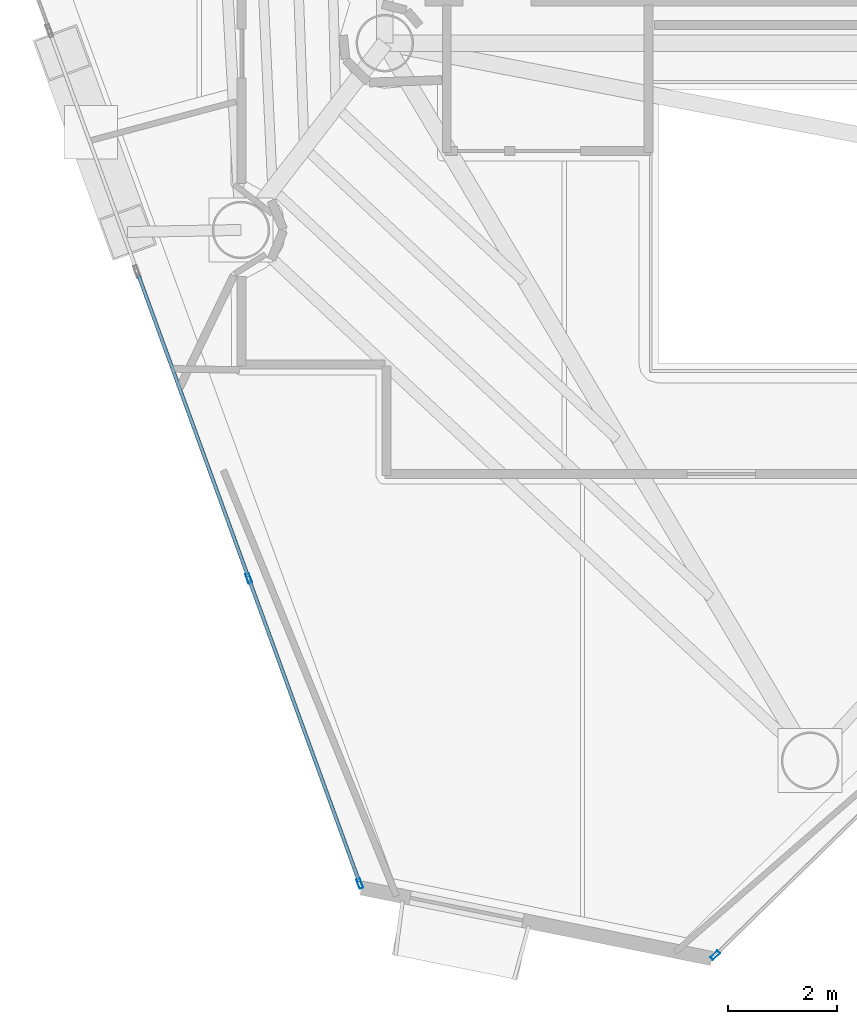
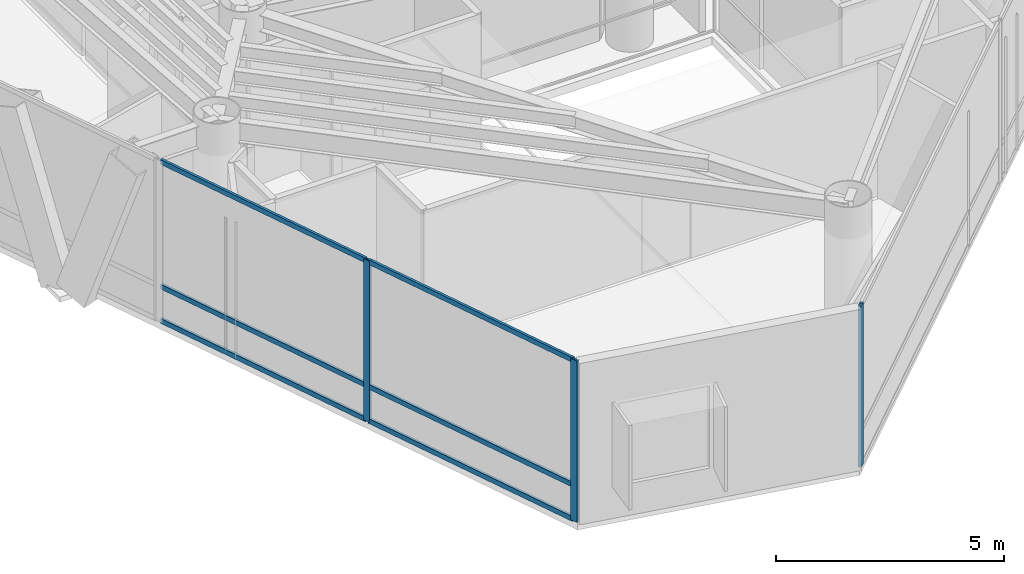
# One storey, part 2 of 21: 9 members, 2 elements without a shape of their own.
"""IFC4 building model written with IfcOpenShell, lengths in metres."""

from ifc_helpers import new_model, si_unit, direction, frame, origin, origin_2d, place, context, subcontext, project, spatial, hollow_rectangle, extrude, material, layer, layer_set, material_profile, profile_set, type_object, element, aggregate, save


model = new_model("IFC4")

# Units and contexts
model_context = context("Model", 3, precision=1e-05, world=origin(), true_north=direction((0.0, 1.0)))
body_context = subcontext(model_context, "Body", "Model", "MODEL_VIEW")
ifc_project = project(units=[si_unit("LENGTHUNIT", "METRE"), si_unit("AREAUNIT", "SQUARE_METRE"), si_unit("VOLUMEUNIT", "CUBIC_METRE"), si_unit("PLANEANGLEUNIT", "RADIAN"), si_unit("MASSUNIT", "GRAM", prefix="KILO")], contexts=[model_context])

# Site, building, storey
site_placement = place(None, origin())
site = spatial("IfcSite", under=ifc_project, at=site_placement, CompositionType="ELEMENT")
building_placement = place(site_placement, origin())
building = spatial("IfcBuilding", under=site, at=building_placement, Name="Qianvela Tower", CompositionType="ELEMENT")
storey_placement = place(building_placement, frame((0.0, 0.0, 234.5)))
storey = spatial("IfcBuildingStorey", under=building, at=storey_placement, Name="L60", CompositionType="ELEMENT", Elevation=234.5)

# Curtain wall, members
ifc_material_1 = material(Name="Anodised Architectural Aluminium and Low-E Glass", Category="aluminium")
ifc_layer = layer(ifc_material_1, 0.18994140625)
ifc_layer_set = layer_set([ifc_layer], Name="Anodised Architectural Aluminium and Low-E Glass")
curtain_wall_type = type_object("IfcCurtainWallType", Name="CW-SKYLOBBY", PredefinedType="USERDEFINED", material=ifc_layer_set)
curtain_wall_1_placement = place(storey_placement, origin())
curtain_wall_1 = element("IfcCurtainWall", 1, at=curtain_wall_1_placement, inside=storey, type_object=curtain_wall_type, Name="L60 CW-SKYLOBBY Curtain Wall 04C", ObjectType="CURTAIN_WALL_SYSTEM", PredefinedType="USERDEFINED")
ifc_material_2 = material(Name="Anodised Architectural Aluminium 6063-T6", Category="aluminium")
ifc_material_profile_1 = material_profile(ifc_material_2, hollow_rectangle(XDim=0.070068359375, YDim=0.179931640625, WallThickness=0.0048828125, at=origin_2d()), Name="ALU-MULL-70x180")
ifc_profile_set_1 = profile_set([ifc_material_profile_1], Name="Anodised Architectural Aluminium 6063-T6")
member_type_1 = type_object("IfcMemberType", Name="CW-SKYLOBBY-MULL", PredefinedType="MULLION", material=ifc_profile_set_1)
member_1_placement = place(storey_placement, frame((26.114990234375, 14.07177734375, 0.0), z_axis=(0.0, 0.0, 1.0), x_axis=(0.939691870439, 0.34202220488, 0.0)))
member_1 = element("IfcMember", 2, at=member_1_placement, type_object=member_type_1, Name="CW-7 mullion 2", PredefinedType="MULLION", context=body_context, shape_type="SweptSolid", body=[
    extrude(hollow_rectangle(XDim=0.070068359375, YDim=0.179931640625, WallThickness=0.0048828125, at=origin_2d()), origin(), (0.0, 0.0, 1.0), 4.320068359375),
])
member_2_placement = place(storey_placement, frame((28.144287109375, 8.496337890625, 0.0), z_axis=(0.0, 0.0, 1.0), x_axis=(0.939691870439, 0.34202220488, 0.0)))
member_2 = element("IfcMember", 3, at=member_2_placement, type_object=member_type_1, Name="CW-7 mullion 3", PredefinedType="MULLION", context=body_context, shape_type="SweptSolid", body=[
    extrude(hollow_rectangle(XDim=0.070068359375, YDim=0.179931640625, WallThickness=0.0048828125, at=origin_2d()), origin(), (0.0, 0.0, 1.0), 4.320068359375),
])

# Curtain wall, member
curtain_wall_2_placement = place(storey_placement, origin())
curtain_wall_2 = element("IfcCurtainWall", 4, at=curtain_wall_2_placement, inside=storey, type_object=curtain_wall_type, Name="L60 CW-SKYLOBBY Curtain Wall 06A", ObjectType="CURTAIN_WALL_SYSTEM", PredefinedType="USERDEFINED")
member_3_placement = place(storey_placement, frame((34.634521484375, 7.18701171875, 0.0), z_axis=(0.0, 0.0, 1.0), x_axis=(-0.69907402028, 0.715049308908, 0.0)))
member_3 = element("IfcMember", 5, at=member_3_placement, type_object=member_type_1, Name="CW-7 mullion 1", PredefinedType="MULLION", context=body_context, shape_type="SweptSolid", body=[
    extrude(hollow_rectangle(XDim=0.070068359375, YDim=0.179931640625, WallThickness=0.0048828125, at=origin_2d()), origin(), (0.0, 0.0, 1.0), 4.320068359375),
])
aggregate(curtain_wall_2, [member_3])

# Member
ifc_material_3 = material(Name="Anodised Architectural Aluminium 6063-T6", Category="aluminium")
ifc_material_profile_2 = material_profile(ifc_material_3, hollow_rectangle(XDim=0.06494140625, YDim=0.1298828125, WallThickness=0.00439453125, at=origin_2d()), Name="ALU-TRAN-65x130")
ifc_profile_set_2 = profile_set([ifc_material_profile_2], Name="Anodised Architectural Aluminium 6063-T6")
member_type_2 = type_object("IfcMemberType", Name="CW-SKYLOBBY-TRAN", PredefinedType="USERDEFINED", material=ifc_profile_set_2)
member_4_placement = place(storey_placement, frame((24.09765625, 19.6142578125, 0.032470703125), z_axis=(0.342030575528, -0.939688823709, 0.0), x_axis=(0.939688823709, 0.342030575528, 0.0)))
member_4 = element("IfcMember", 6, at=member_4_placement, type_object=member_type_2, Name="CW-7 transom 1.1", ObjectType="TRANSOM", PredefinedType="USERDEFINED", context=body_context, shape_type="SweptSolid", body=[
    extrude(hollow_rectangle(XDim=0.06494140625, YDim=0.1298828125, WallThickness=0.00439453125, at=origin_2d()), origin(), (0.0, 0.0, 1.0), 5.863037109375),
])

member_5_placement = place(storey_placement, frame((24.09765625, 19.6142578125, 0.949951171875), z_axis=(0.342030575528, -0.939688823709, 0.0), x_axis=(0.939688823709, 0.342030575528, 0.0)))
member_5 = element("IfcMember", 7, at=member_5_placement, type_object=member_type_2, Name="CW-7 transom 1.2", ObjectType="TRANSOM", PredefinedType="USERDEFINED", context=body_context, shape_type="SweptSolid", body=[
    extrude(hollow_rectangle(XDim=0.06494140625, YDim=0.1298828125, WallThickness=0.00439453125, at=origin_2d()), origin(), (0.0, 0.0, 1.0), 5.863037109375),
])

member_6_placement = place(storey_placement, frame((24.09765625, 19.6142578125, 4.28759765625), z_axis=(0.342030575528, -0.939688823709, 0.0), x_axis=(0.939688823709, 0.342030575528, 0.0)))
member_6 = element("IfcMember", 8, at=member_6_placement, type_object=member_type_2, Name="CW-7 transom 1.3", ObjectType="TRANSOM", PredefinedType="USERDEFINED", context=body_context, shape_type="SweptSolid", body=[
    extrude(hollow_rectangle(XDim=0.06494140625, YDim=0.1298828125, WallThickness=0.00439453125, at=origin_2d()), origin(), (0.0, 0.0, 1.0), 5.863037109375),
])

member_7_placement = place(storey_placement, frame((26.126953125, 14.038818359375, 0.032470703125), z_axis=(0.342030575528, -0.939688823709, 0.0), x_axis=(0.939688823709, 0.342030575528, 0.0)))
member_7 = element("IfcMember", 9, at=member_7_placement, type_object=member_type_2, Name="CW-7 transom 2.1", ObjectType="TRANSOM", PredefinedType="USERDEFINED", context=body_context, shape_type="SweptSolid", body=[
    extrude(hollow_rectangle(XDim=0.06494140625, YDim=0.1298828125, WallThickness=0.00439453125, at=origin_2d()), origin(), (0.0, 0.0, 1.0), 5.863037109375),
])

member_8_placement = place(storey_placement, frame((26.126953125, 14.038818359375, 0.949951171875), z_axis=(0.342030575528, -0.939688823709, 0.0), x_axis=(0.939688823709, 0.342030575528, 0.0)))
member_8 = element("IfcMember", 10, at=member_8_placement, type_object=member_type_2, Name="CW-7 transom 2.2", ObjectType="TRANSOM", PredefinedType="USERDEFINED", context=body_context, shape_type="SweptSolid", body=[
    extrude(hollow_rectangle(XDim=0.06494140625, YDim=0.1298828125, WallThickness=0.00439453125, at=origin_2d()), origin(), (0.0, 0.0, 1.0), 5.863037109375),
])

member_9_placement = place(storey_placement, frame((26.126953125, 14.038818359375, 4.28759765625), z_axis=(0.342030575528, -0.939688823709, 0.0), x_axis=(0.939688823709, 0.342030575528, 0.0)))
member_9 = element("IfcMember", 11, at=member_9_placement, type_object=member_type_2, Name="CW-7 transom 2.3", ObjectType="TRANSOM", PredefinedType="USERDEFINED", context=body_context, shape_type="SweptSolid", body=[
    extrude(hollow_rectangle(XDim=0.06494140625, YDim=0.1298828125, WallThickness=0.00439453125, at=origin_2d()), origin(), (0.0, 0.0, 1.0), 5.863037109375),
])

aggregate(curtain_wall_1, [member_1, member_2, member_4, member_5, member_6, member_7, member_8, member_9])

save(model, "model.ifc")
